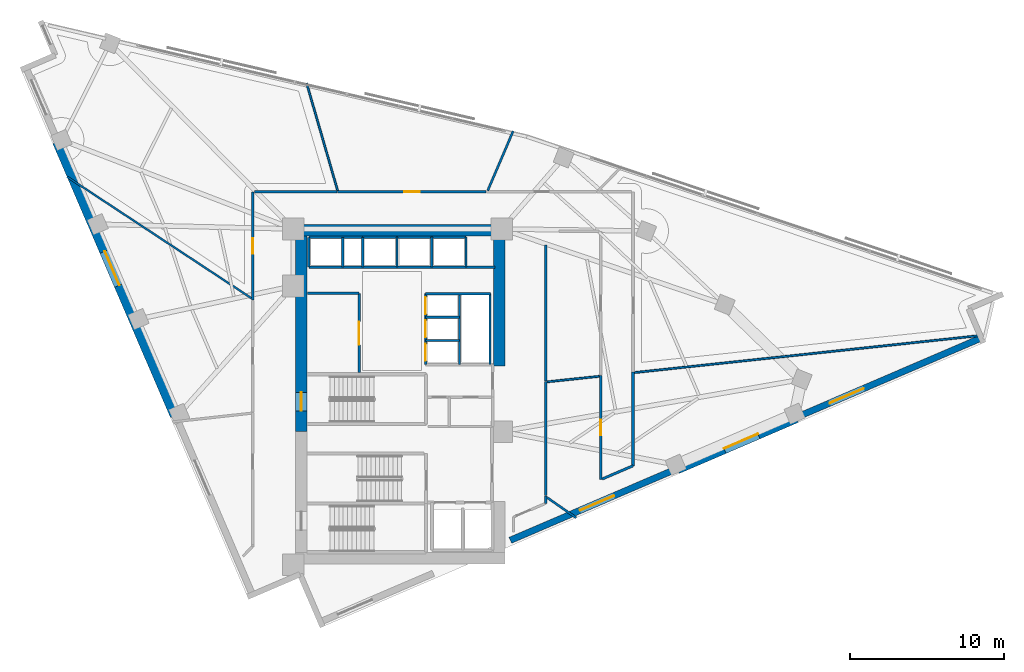
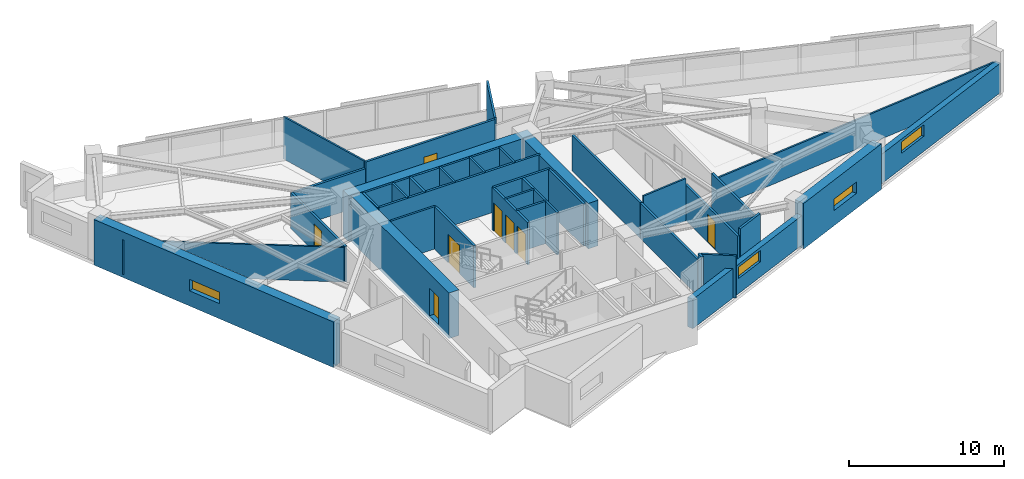
# One storey, part 10 of 13: 39 walls, 8 doors, 4 windows, 12 openings.
"""IFC4 building model written with IfcOpenShell, lengths in metres."""

from ifc_helpers import new_model, si_unit, direction, frame, frame_2d, origin, place, context, subcontext, project, spatial, rectangle, extrude, material, layer, layer_set, type_object, element, fill, save


model = new_model("IFC4")

# Units and contexts
model_context = context("Model", 3, precision=1e-05, world=origin(), true_north=direction((0.0, 1.0)))
body_context = subcontext(model_context, "Body", "Model", "MODEL_VIEW")
ifc_project = project(units=[si_unit("LENGTHUNIT", "METRE"), si_unit("AREAUNIT", "SQUARE_METRE"), si_unit("VOLUMEUNIT", "CUBIC_METRE"), si_unit("PLANEANGLEUNIT", "RADIAN"), si_unit("MASSUNIT", "GRAM", prefix="KILO")], contexts=[model_context])

# Site, building, storey
site_placement = place(None, origin())
site = spatial("IfcSite", under=ifc_project, at=site_placement, CompositionType="ELEMENT")
building_placement = place(site_placement, origin())
building = spatial("IfcBuilding", under=site, at=building_placement, Name="Narakoshi Arena Tower", CompositionType="ELEMENT")
storey_placement = place(building_placement, frame((0.0, 0.0, 171.89990234375)))
storey = spatial("IfcBuildingStorey", under=building, at=storey_placement, Name="L46", CompositionType="ELEMENT", Elevation=171.89990234375)

# Wall, opening, door
ifc_material_1 = material(Name="Concrete C50/60", Category="concrete")
ifc_layer_1 = layer(ifc_material_1, 0.75)
ifc_layer_set_1 = layer_set([ifc_layer_1], Name="Concrete C50/60")
wall_type_1 = type_object("IfcWallType", Name="WL-CORE-750", PredefinedType="SHEAR", material=ifc_layer_set_1)
wall_1_placement = place(storey_placement, frame((72.52490234375, 43.35009765625, -0.260009765625), z_axis=(0.0, 0.0, 1.0), x_axis=(0.0, 1.0, 0.0)))
wall_1 = element("IfcWall", 1, at=wall_1_placement, inside=storey, type_object=wall_type_1, Name="L46 Main Core Shear Wall CW-MN-W", PredefinedType="SHEAR", context=body_context, shape_type="SweptSolid", body=[
    extrude(rectangle(XDim=12.699951171875, YDim=0.75, at=frame_2d((6.35009765625, 0.0))), origin(), (0.0, 0.0, 1.0), 3.60009765625),
])
opening_1_placement = place(wall_1_placement, frame((1.35009765625, 0.0, 0.260009765625)))
opening_1 = element("IfcOpeningElement", 2, at=opening_1_placement, cuts=wall_1, Name="Opening D-03", PredefinedType="OPENING", context=body_context, shape_type="SweptSolid", body=[
    extrude(rectangle(XDim=1.199951171875, YDim=2.199951171875, at=frame_2d((0.60009765625, 1.10009765625))), frame((0.0, 0.385009765625, 0.0), z_axis=(0.0, -1.0, 0.0), x_axis=(1.0, 0.0, 0.0)), (0.0, 0.0, 1.0), 0.77001953125),
])
ifc_material_2 = material(Name="Painted galvanized steel", Category="steel")
door_type_1 = type_object("IfcDoorType", Name="DR-STR-1200", OperationType="NOTDEFINED", PredefinedType="USERDEFINED", material=ifc_material_2)
door_1_placement = place(opening_1_placement, frame((1.199951171875, 0.0, 0.0), z_axis=(0.0, 0.0, 1.0), x_axis=(-1.0, 0.0, 0.0)))
door_1 = element("IfcDoor", 3, at=door_1_placement, inside=storey, type_object=door_type_1, Name="DR-L46-006", ObjectType="EXITDOOR", OperationType="SINGLE_SWING_LEFT", OverallHeight=2.199951171875, OverallWidth=1.199951171875, PredefinedType="USERDEFINED", context=body_context, shape_type="SweptSolid", body=[
    extrude(rectangle(XDim=1.199951171875, YDim=2.199951171875, at=frame_2d((0.60009765625, 1.10009765625))), frame((0.0, 0.02490234375, 0.0), z_axis=(0.0, -1.0, 0.0), x_axis=(1.0, 0.0, 0.0)), (0.0, 0.0, 1.0), 0.050048828125),
])
fill(opening_1, door_1)

# Walls
wall_2_placement = place(storey_placement, frame((72.0, 56.425048828125, -0.260009765625), z_axis=(0.0, 0.0, 1.0), x_axis=(1.0, 0.0, 0.0)))
element("IfcWall", 4, at=wall_2_placement, inside=storey, type_object=wall_type_1, Name="L46 Main Core Shear Wall CW-MN-N", PredefinedType="SHEAR", context=body_context, shape_type="SweptSolid", body=[
    extrude(rectangle(XDim=13.75, YDim=0.75, at=frame_2d((6.875, 0.0))), origin(), (0.0, 0.0, 1.0), 3.60009765625),
])
wall_3_placement = place(storey_placement, frame((85.375, 47.60009765625, -0.260009765625), z_axis=(0.0, 0.0, 1.0), x_axis=(0.0, 1.0, 0.0)))
element("IfcWall", 5, at=wall_3_placement, inside=storey, type_object=wall_type_1, Name="L46 Main Core Shear Wall CW-MN-E", PredefinedType="SHEAR", context=body_context, shape_type="SweptSolid", body=[
    extrude(rectangle(XDim=8.449951171875, YDim=0.75, at=frame_2d((4.22509765625, 0.0))), origin(), (0.0, 0.0, 1.0), 3.60009765625),
])
ifc_material_3 = material(Name="Gypsum plasterboard fire-rated partition")
ifc_layer_2 = layer(ifc_material_3, 0.1650390625)
ifc_layer_set_2 = layer_set([ifc_layer_2], Name="Gypsum plasterboard fire-rated partition")
wall_type_2 = type_object("IfcWallType", Name="WL-CORR-165", PredefinedType="PARTITIONING", material=ifc_layer_set_2)
wall_4_placement = place(storey_placement, frame((88.39990234375, 39.199951171875, 0.0), z_axis=(0.0, 0.0, 1.0), x_axis=(0.0, 1.0, 0.0)))
element("IfcWall", 6, at=wall_4_placement, inside=storey, type_object=wall_type_2, Name="L46 Corridor Partition 03-1", PredefinedType="PARTITIONING", context=body_context, shape_type="SweptSolid", body=[
    extrude(rectangle(XDim=7.405517578125, YDim=0.1650390625, at=frame_2d((3.70263671875, 0.0))), origin(), (0.0, 0.0, 1.0), 2.8251953125),
])

# Wall, opening, door
wall_5_placement = place(storey_placement, frame((91.961181640625, 46.98291015625, 0.0), z_axis=(0.0, 0.0, 1.0), x_axis=(0.0, -1.0, 0.0)))
wall_5 = element("IfcWall", 7, at=wall_5_placement, inside=storey, type_object=wall_type_2, Name="L46 Corridor Partition 03-2", PredefinedType="PARTITIONING", context=body_context, shape_type="SweptSolid", body=[
    extrude(rectangle(XDim=6.753662109375, YDim=0.1650390625, at=frame_2d((3.376953125, 0.0))), origin(), (0.0, 0.0, 1.0), 2.8251953125),
])
opening_2_placement = place(wall_5_placement, frame((2.876708984375, 0.0, 0.0)))
opening_2 = element("IfcOpeningElement", 8, at=opening_2_placement, cuts=wall_5, Name="Opening D-06", PredefinedType="OPENING", context=body_context, shape_type="SweptSolid", body=[
    extrude(rectangle(XDim=1.0, YDim=2.199951171875, at=frame_2d((0.5, 1.10009765625))), frame((0.0, 0.092529296875, 0.0), z_axis=(0.0, -1.0, 0.0), x_axis=(1.0, 0.0, 0.0)), (0.0, 0.0, 1.0), 0.18505859375),
])
ifc_material_4 = material(Name="Stained oak solid-core timber", Category="wood")
door_type_2 = type_object("IfcDoorType", Name="DR-OFF-1000", OperationType="NOTDEFINED", PredefinedType="DOOR", material=ifc_material_4)
door_2_placement = place(opening_2_placement, frame((1.0, 0.0, 0.0), z_axis=(0.0, 0.0, 1.0), x_axis=(-1.0, 0.0, 0.0)))
door_2 = element("IfcDoor", 9, at=door_2_placement, inside=storey, type_object=door_type_2, Name="DR-L46-016", OperationType="SINGLE_SWING_RIGHT", OverallHeight=2.199951171875, OverallWidth=1.0, PredefinedType="DOOR", context=body_context, shape_type="SweptSolid", body=[
    extrude(rectangle(XDim=1.0, YDim=2.199951171875, at=frame_2d((0.5, 1.10009765625))), frame((0.0, 0.02490234375, 0.0), z_axis=(0.0, -1.0, 0.0), x_axis=(1.0, 0.0, 0.0)), (0.0, 0.0, 1.0), 0.050048828125),
])
fill(opening_2, door_2)

# Walls
wall_6_placement = place(storey_placement, frame((94.061279296875, 41.131591796875, 0.0), z_axis=(0.0, 0.0, 1.0), x_axis=(0.0, 1.0, 0.0)))
element("IfcWall", 10, at=wall_6_placement, inside=storey, type_object=wall_type_2, Name="L46 Corridor Partition 03-3", PredefinedType="PARTITIONING", context=body_context, shape_type="SweptSolid", body=[
    extrude(rectangle(XDim=6.07373046875, YDim=0.1650390625, at=frame_2d((3.036865234375, 0.0))), origin(), (0.0, 0.0, 1.0), 2.8251953125),
])
wall_7_placement = place(storey_placement, frame((92.055908203125, 40.27001953125, 0.0), z_axis=(0.0, 0.0, 1.0), x_axis=(0.918791733635, 0.394742637935, 0.0)))
element("IfcWall", 11, at=wall_7_placement, inside=storey, type_object=wall_type_2, Name="L46 Corridor Partition 03-4", PredefinedType="PARTITIONING", context=body_context, shape_type="SweptSolid", body=[
    extrude(rectangle(XDim=2.1826171875, YDim=0.1650390625, at=frame_2d((1.09130859375, 0.0))), origin(), (0.0, 0.0, 1.0), 3.340087890625),
])
wall_8_placement = place(storey_placement, frame((88.39990234375, 46.62939453125, 0.0), z_axis=(0.0, 0.0, 1.0), x_axis=(0.0, 1.0, 0.0)))
element("IfcWall", 12, at=wall_8_placement, inside=storey, type_object=wall_type_2, Name="L46 Corridor Partition 05-2", PredefinedType="PARTITIONING", context=body_context, shape_type="SweptSolid", body=[
    extrude(rectangle(XDim=8.842529296875, YDim=0.1650390625, at=frame_2d((4.42138671875, 0.0))), origin(), (0.0, 0.0, 1.0), 2.8251953125),
])

# Wall, opening, door
wall_9_placement = place(storey_placement, frame((84.532470703125, 58.908935546875, 0.0), z_axis=(0.0, 0.0, 1.0), x_axis=(-1.0, 0.0, 0.0)))
wall_9 = element("IfcWall", 13, at=wall_9_placement, inside=storey, type_object=wall_type_2, Name="L46 Corridor Partition 07-1", PredefinedType="PARTITIONING", context=body_context, shape_type="SweptSolid", body=[
    extrude(rectangle(XDim=9.649658203125, YDim=0.1650390625, at=frame_2d((4.82470703125, 0.0))), origin(), (0.0, 0.0, 1.0), 3.340087890625),
])
opening_3_placement = place(wall_9_placement, frame((4.32470703125, 0.0, 0.0)))
opening_3 = element("IfcOpeningElement", 14, at=opening_3_placement, cuts=wall_9, Name="Opening D-06", PredefinedType="OPENING", context=body_context, shape_type="SweptSolid", body=[
    extrude(rectangle(XDim=1.0, YDim=2.199951171875, at=frame_2d((0.5, 1.10009765625))), frame((0.0, 0.092529296875, 0.0), z_axis=(0.0, -1.0, 0.0), x_axis=(1.0, 0.0, 0.0)), (0.0, 0.0, 1.0), 0.18505859375),
])
door_3_placement = place(opening_3_placement, frame((1.0, 0.0, 0.0), z_axis=(0.0, 0.0, 1.0), x_axis=(-1.0, 0.0, 0.0)))
door_3 = element("IfcDoor", 15, at=door_3_placement, inside=storey, type_object=door_type_2, Name="DR-L46-020", OperationType="SINGLE_SWING_RIGHT", OverallHeight=2.199951171875, OverallWidth=1.0, PredefinedType="DOOR", context=body_context, shape_type="SweptSolid", body=[
    extrude(rectangle(XDim=1.0, YDim=2.199951171875, at=frame_2d((0.5, 1.10009765625))), frame((0.0, 0.02490234375, 0.0), z_axis=(0.0, -1.0, 0.0), x_axis=(1.0, 0.0, 0.0)), (0.0, 0.0, 1.0), 0.050048828125),
])
fill(opening_3, door_3)

wall_10_placement = place(storey_placement, frame((69.388916015625, 58.908935546875, 0.0), z_axis=(0.0, 0.0, 1.0), x_axis=(0.0, -1.0, 0.0)))
wall_10 = element("IfcWall", 16, at=wall_10_placement, inside=storey, type_object=wall_type_2, Name="L46 Corridor Partition 08-1", PredefinedType="PARTITIONING", context=body_context, shape_type="SweptSolid", body=[
    extrude(rectangle(XDim=7.006103515625, YDim=0.1650390625, at=frame_2d((3.5029296875, 0.0))), origin(), (0.0, 0.0, 1.0), 2.8251953125),
])
opening_4_placement = place(wall_10_placement, frame((3.003173828125, 0.0, 0.0)))
opening_4 = element("IfcOpeningElement", 17, at=opening_4_placement, cuts=wall_10, Name="Opening D-06", PredefinedType="OPENING", context=body_context, shape_type="SweptSolid", body=[
    extrude(rectangle(XDim=1.0, YDim=2.199951171875, at=frame_2d((0.5, 1.10009765625))), frame((0.0, 0.092529296875, 0.0), z_axis=(0.0, -1.0, 0.0), x_axis=(1.0, 0.0, 0.0)), (0.0, 0.0, 1.0), 0.18505859375),
])
door_4_placement = place(opening_4_placement, frame((1.0, 0.0, 0.0), z_axis=(0.0, 0.0, 1.0), x_axis=(-1.0, 0.0, 0.0)))
door_4 = element("IfcDoor", 18, at=door_4_placement, inside=storey, type_object=door_type_2, Name="DR-L46-021", OperationType="SINGLE_SWING_LEFT", OverallHeight=2.199951171875, OverallWidth=1.0, PredefinedType="DOOR", context=body_context, shape_type="SweptSolid", body=[
    extrude(rectangle(XDim=1.0, YDim=2.199951171875, at=frame_2d((0.5, 1.10009765625))), frame((0.0, 0.02490234375, 0.0), z_axis=(0.0, -1.0, 0.0), x_axis=(1.0, 0.0, 0.0)), (0.0, 0.0, 1.0), 0.050048828125),
])
fill(opening_4, door_4)

# Wall
wall_11_placement = place(storey_placement, frame((74.85791015625, 58.908935546875, 0.0), z_axis=(0.0, 0.0, 1.0), x_axis=(-1.0, 0.0, 0.0)))
element("IfcWall", 19, at=wall_11_placement, inside=storey, type_object=wall_type_2, Name="L46 Corridor Partition 08-2", PredefinedType="PARTITIONING", context=body_context, shape_type="SweptSolid", body=[
    extrude(rectangle(XDim=5.37451171875, YDim=0.1650390625, at=frame_2d((2.687255859375, 0.0))), origin(), (0.0, 0.0, 1.0), 2.8251953125),
])

# Wall, opening, window
ifc_material_5 = material(Name="Concrete C60/75", Category="concrete")
ifc_layer_3 = layer(ifc_material_5, 0.699951171875)
ifc_layer_set_3 = layer_set([ifc_layer_3], Name="Concrete C60/75")
wall_type_3 = type_object("IfcWallType", Name="WL-LEG-700", PredefinedType="SHEAR", material=ifc_layer_set_3)
wall_12_placement = place(storey_placement, frame((96.936767578125, 40.951904296875, -0.260009765625), z_axis=(0.0, 0.0, 1.0), x_axis=(0.918782407933, 0.394764343468, 0.0)))
wall_12 = element("IfcWall", 20, at=wall_12_placement, inside=storey, type_object=wall_type_3, Name="L46 Architectural Concrete Structural Wall LEGA-3", PredefinedType="SHEAR", context=body_context, shape_type="SweptSolid", body=[
    extrude(rectangle(XDim=8.401611328125, YDim=0.699951171875, at=frame_2d((4.20068359375, 0.0))), origin(), (0.0, 0.0, 1.0), 3.60009765625),
])
opening_5_placement = place(wall_12_placement, frame((3.2939453125, 0.0, 1.199951171875)))
opening_5 = element("IfcOpeningElement", 21, at=opening_5_placement, cuts=wall_12, Name="Opening WN-01", PredefinedType="OPENING", context=body_context, shape_type="SweptSolid", body=[
    extrude(rectangle(XDim=2.39990234375, YDim=0.89990234375, at=frame_2d((1.199951171875, 0.449951171875))), frame((0.0, 0.35986328125, 0.0), z_axis=(0.0, -1.0, 0.0), x_axis=(1.0, 0.0, 0.0)), (0.0, 0.0, 1.0), 0.719970703125),
])
ifc_material_6 = material(Name="Bronze-tinted low-E laminated glass", Category="glass")
window_type = type_object("IfcWindowType", Name="WIN-SLT-24x09", PartitioningType="SINGLE_PANEL", PredefinedType="WINDOW", material=ifc_material_6)
window_1_placement = place(opening_5_placement, origin())
window_1 = element("IfcWindow", 22, at=window_1_placement, inside=storey, type_object=window_type, Name="L46 LEGA3 Horizontal Slot Window 1", OverallHeight=0.89990234375, OverallWidth=2.39990234375, PartitioningType="SINGLE_PANEL", PredefinedType="WINDOW", context=body_context, shape_type="SweptSolid", body=[
    extrude(rectangle(XDim=2.39990234375, YDim=0.89990234375, at=frame_2d((1.199951171875, 0.449951171875))), frame((0.0, 0.030029296875, 0.0), z_axis=(0.0, -1.0, 0.0), x_axis=(1.0, 0.0, 0.0)), (0.0, 0.0, 1.0), 0.06005859375),
])
fill(opening_5, window_1)

wall_13_placement = place(storey_placement, frame((56.7275390625, 62.171875, -0.260009765625), z_axis=(0.0, 0.0, 1.0), x_axis=(0.394736752992, -0.918794261974, 0.0)))
wall_13 = element("IfcWall", 23, at=wall_13_placement, inside=storey, type_object=wall_type_3, Name="L46 Architectural Concrete Structural Wall LEGB-2", PredefinedType="SHEAR", context=body_context, shape_type="SweptSolid", body=[
    extrude(rectangle(XDim=19.3525390625, YDim=0.699951171875, at=frame_2d((9.67626953125, 0.0))), origin(), (0.0, 0.0, 1.0), 3.60009765625),
])
opening_6_placement = place(wall_13_placement, frame((7.747314453125, 0.0, 1.199951171875)))
opening_6 = element("IfcOpeningElement", 24, at=opening_6_placement, cuts=wall_13, Name="Opening WN-01", PredefinedType="OPENING", context=body_context, shape_type="SweptSolid", body=[
    extrude(rectangle(XDim=2.39990234375, YDim=0.89990234375, at=frame_2d((1.199951171875, 0.449951171875))), frame((0.0, 0.35986328125, 0.0), z_axis=(0.0, -1.0, 0.0), x_axis=(1.0, 0.0, 0.0)), (0.0, 0.0, 1.0), 0.719970703125),
])
window_2_placement = place(opening_6_placement, origin())
window_2 = element("IfcWindow", 25, at=window_2_placement, inside=storey, type_object=window_type, Name="L46 LEGB2 Horizontal Slot Window 1", OverallHeight=0.89990234375, OverallWidth=2.39990234375, PartitioningType="SINGLE_PANEL", PredefinedType="WINDOW", context=body_context, shape_type="SweptSolid", body=[
    extrude(rectangle(XDim=2.39990234375, YDim=0.89990234375, at=frame_2d((1.199951171875, 0.449951171875))), frame((0.0, 0.030029296875, 0.0), z_axis=(0.0, -1.0, 0.0), x_axis=(1.0, 0.0, 0.0)), (0.0, 0.0, 1.0), 0.06005859375),
])
fill(opening_6, window_2)

# Walls
ifc_layer_4 = layer(ifc_material_3, 0.125)
ifc_layer_set_4 = layer_set([ifc_layer_4], Name="Gypsum plasterboard fire-rated partition")
wall_type_4 = type_object("IfcWallType", Name="WL-PART-125", PredefinedType="PARTITIONING", material=ifc_layer_set_4)
wall_14_placement = place(storey_placement, frame((94.15576171875, 47.1796875, 0.0), z_axis=(0.0, 0.0, 1.0), x_axis=(0.994308171702, 0.106542290603, 0.0)))
element("IfcWall", 26, at=wall_14_placement, inside=storey, type_object=wall_type_4, Name="L46 Inter-Room Partition 03-04", PredefinedType="PARTITIONING", context=body_context, shape_type="SweptSolid", body=[
    extrude(rectangle(XDim=22.56884765625, YDim=0.125, at=frame_2d((11.284423828125, 0.0))), origin(), (0.0, 0.0, 1.0), 2.3251953125),
])
wall_15_placement = place(storey_placement, frame((88.494384765625, 46.57958984375, 0.0), z_axis=(0.0, 0.0, 1.0), x_axis=(0.994445328127, 0.105254403078, 0.0)))
element("IfcWall", 27, at=wall_15_placement, inside=storey, type_object=wall_type_4, Name="L46 Inter-Room Partition 03-05", PredefinedType="PARTITIONING", context=body_context, shape_type="SweptSolid", body=[
    extrude(rectangle(XDim=3.39111328125, YDim=0.125, at=frame_2d((1.695556640625, 0.0))), origin(), (0.0, 0.0, 1.0), 3.340087890625),
])
wall_16_placement = place(storey_placement, frame((74.890380859375, 59.00341796875, 0.0), z_axis=(0.0, 0.0, 1.0), x_axis=(-0.277684607066, 0.960672295322, 0.0)))
element("IfcWall", 28, at=wall_16_placement, inside=storey, type_object=wall_type_4, Name="L46 Inter-Room Partition 07-08", PredefinedType="PARTITIONING", context=body_context, shape_type="SweptSolid", body=[
    extrude(rectangle(XDim=7.25439453125, YDim=0.125, at=frame_2d((3.627197265625, 0.0))), origin(), (0.0, 0.0, 1.0), 3.340087890625),
])
wall_17_placement = place(storey_placement, frame((69.294189453125, 52.00830078125, 0.0), z_axis=(0.0, 0.0, 1.0), x_axis=(-0.835080394173, 0.550127926276, 0.0)))
element("IfcWall", 29, at=wall_17_placement, inside=storey, type_object=wall_type_4, Name="L46 Inter-Room Partition 08-09", PredefinedType="PARTITIONING", context=body_context, shape_type="SweptSolid", body=[
    extrude(rectangle(XDim=14.332275390625, YDim=0.125, at=frame_2d((7.166015625, 0.0))), origin(), (0.0, 0.0, 1.0), 2.72509765625),
])

# Wall, opening, window
ifc_material_7 = material(Name="Precast concrete C45/55", Category="concrete")
ifc_layer_5 = layer(ifc_material_7, 0.419921875)
ifc_layer_set_5 = layer_set([ifc_layer_5], Name="Precast concrete C45/55")
wall_type_5 = type_object("IfcWallType", Name="WL-POD-420", PredefinedType="SOLIDWALL", material=ifc_layer_set_5)
wall_18_placement = place(storey_placement, frame((86.10009765625, 36.296142578125, 0.0), z_axis=(0.0, 0.0, 1.0), x_axis=(0.918792412723, 0.394741057306, 0.0)))
wall_18 = element("IfcWall", 30, at=wall_18_placement, inside=storey, type_object=wall_type_5, Name="L46 Architectural Concrete Facade Wall LEGA-2", PredefinedType="SOLIDWALL", context=body_context, shape_type="SweptSolid", body=[
    extrude(rectangle(XDim=11.79443359375, YDim=0.419921875, at=frame_2d((5.897216796875, 0.0))), origin(), (0.0, 0.0, 1.0), 2.3251953125),
])
opening_7_placement = place(wall_18_placement, frame((4.910888671875, 0.0, 1.199951171875)))
opening_7 = element("IfcOpeningElement", 31, at=opening_7_placement, cuts=wall_18, Name="Opening WN-01", PredefinedType="OPENING", context=body_context, shape_type="SweptSolid", body=[
    extrude(rectangle(XDim=2.39990234375, YDim=0.89990234375, at=frame_2d((1.199951171875, 0.449951171875))), frame((0.0, 0.219970703125, 0.0), z_axis=(0.0, -1.0, 0.0), x_axis=(1.0, 0.0, 0.0)), (0.0, 0.0, 1.0), 0.43994140625),
])
window_3_placement = place(opening_7_placement, origin())
window_3 = element("IfcWindow", 32, at=window_3_placement, inside=storey, type_object=window_type, Name="L46 LEGA2 Horizontal Slot Window 1", OverallHeight=0.89990234375, OverallWidth=2.39990234375, PartitioningType="SINGLE_PANEL", PredefinedType="WINDOW", context=body_context, shape_type="SweptSolid", body=[
    extrude(rectangle(XDim=2.39990234375, YDim=0.89990234375, at=frame_2d((1.199951171875, 0.449951171875))), frame((0.0, 0.030029296875, 0.0), z_axis=(0.0, -1.0, 0.0), x_axis=(1.0, 0.0, 0.0)), (0.0, 0.0, 1.0), 0.06005859375),
])
fill(opening_7, window_3)

wall_19_placement = place(storey_placement, frame((104.656005859375, 44.2685546875, 0.0), z_axis=(0.0, 0.0, 1.0), x_axis=(0.918789071809, 0.394748833467, 0.0)))
wall_19 = element("IfcWall", 33, at=wall_19_placement, inside=storey, type_object=wall_type_5, Name="L46 Architectural Concrete Facade Wall LEGA-4", PredefinedType="SOLIDWALL", context=body_context, shape_type="SweptSolid", body=[
    extrude(rectangle(XDim=13.06884765625, YDim=0.419921875, at=frame_2d((6.534423828125, 0.0))), origin(), (0.0, 0.0, 1.0), 2.3251953125),
])
opening_8_placement = place(wall_19_placement, frame((2.362060546875, 0.0, 1.199951171875)))
opening_8 = element("IfcOpeningElement", 34, at=opening_8_placement, cuts=wall_19, Name="Opening WN-01", PredefinedType="OPENING", context=body_context, shape_type="SweptSolid", body=[
    extrude(rectangle(XDim=2.39990234375, YDim=0.89990234375, at=frame_2d((1.199951171875, 0.449951171875))), frame((0.0, 0.219970703125, 0.0), z_axis=(0.0, -1.0, 0.0), x_axis=(1.0, 0.0, 0.0)), (0.0, 0.0, 1.0), 0.43994140625),
])
window_4_placement = place(opening_8_placement, origin())
window_4 = element("IfcWindow", 35, at=window_4_placement, inside=storey, type_object=window_type, Name="L46 LEGA4 Horizontal Slot Window 1", OverallHeight=0.89990234375, OverallWidth=2.39990234375, PartitioningType="SINGLE_PANEL", PredefinedType="WINDOW", context=body_context, shape_type="SweptSolid", body=[
    extrude(rectangle(XDim=2.39990234375, YDim=0.89990234375, at=frame_2d((1.199951171875, 0.449951171875))), frame((0.0, 0.030029296875, 0.0), z_axis=(0.0, -1.0, 0.0), x_axis=(1.0, 0.0, 0.0)), (0.0, 0.0, 1.0), 0.06005859375),
])
fill(opening_8, window_4)

# Walls
ifc_material_8 = material(Name="Concrete C40/50", Category="concrete")
ifc_layer_6 = layer(ifc_material_8, 0.280029296875)
ifc_layer_set_6 = layer_set([ifc_layer_6], Name="Concrete C40/50")
wall_type_6 = type_object("IfcWallType", Name="WL-RISER-280", PredefinedType="PLUMBINGWALL", material=ifc_layer_set_6)
for number, where, z_axis, x_axis, name in (
    (36, (80.60009765625, 49.260009765625, 0.0), (0.0, 0.0, 1.0), (1.0, 0.0, 0.0), "L46 Core Wall MR-D1"),
    (37, (80.60009765625, 50.780029296875, 0.0), (0.0, 0.0, 1.0), (1.0, 0.0, 0.0), "L46 Core Wall MR-D2"),
):
    element("IfcWall", number, at=place(storey_placement, frame(where, z_axis=z_axis, x_axis=x_axis)), inside=storey, type_object=wall_type_6, Name=name, PredefinedType="PLUMBINGWALL", context=body_context, shape_type="SweptSolid", body=[
        extrude(rectangle(XDim=2.199951171875, YDim=0.14990234375, at=frame_2d((1.10009765625, 0.0))), origin(), (0.0, 0.0, 1.0), 3.340087890625),
    ])
wall_20_placement = place(storey_placement, frame((82.800048828125, 47.699951171875, 0.0), z_axis=(0.0, 0.0, 1.0), x_axis=(0.0, 1.0, 0.0)))
element("IfcWall", 38, at=wall_20_placement, inside=storey, type_object=wall_type_6, Name="L46 Core Wall MR-E", PredefinedType="PLUMBINGWALL", context=body_context, shape_type="SweptSolid", body=[
    extrude(rectangle(XDim=4.60009765625, YDim=0.14990234375, at=frame_2d((2.300048828125, 0.0))), origin(), (0.0, 0.0, 1.0), 3.340087890625),
])
for number, where, z_axis, x_axis, name in (
    (39, (73.02001953125, 54.02001953125, 0.0), (0.0, 0.0, 1.0), (0.0, 1.0, 0.0), "L46 Core Wall OBS-W"),
    (40, (75.219970703125, 54.02001953125, 0.0), (0.0, 0.0, 1.0), (0.0, 1.0, 0.0), "L46 Core Wall OBS-M"),
):
    element("IfcWall", number, at=place(storey_placement, frame(where, z_axis=z_axis, x_axis=x_axis)), inside=storey, type_object=wall_type_6, Name=name, PredefinedType="PLUMBINGWALL", context=body_context, shape_type="SweptSolid", body=[
        extrude(rectangle(XDim=1.93994140625, YDim=0.14990234375, at=frame_2d((0.969970703125, 0.0))), origin(), (0.0, 0.0, 1.0), 3.340087890625),
    ])
for number, where, z_axis, x_axis, name in (
    (41, (78.75, 54.02001953125, 0.0), (0.0, 0.0, 1.0), (0.0, 1.0, 0.0), "L46 Core Wall HR-D1"),
    (42, (81.0, 54.02001953125, 0.0), (0.0, 0.0, 1.0), (0.0, 1.0, 0.0), "L46 Core Wall HR-D2"),
):
    element("IfcWall", number, at=place(storey_placement, frame(where, z_axis=z_axis, x_axis=x_axis)), inside=storey, type_object=wall_type_6, Name=name, PredefinedType="PLUMBINGWALL", context=body_context, shape_type="SweptSolid", body=[
        extrude(rectangle(XDim=1.9599609375, YDim=0.14990234375, at=frame_2d((0.97998046875, 0.0))), origin(), (0.0, 0.0, 1.0), 3.340087890625),
    ])

# Wall, opening, door
ifc_layer_7 = layer(ifc_material_1, 0.35009765625)
ifc_layer_set_7 = layer_set([ifc_layer_7], Name="Concrete C50/60")
wall_type_7 = type_object("IfcWallType", Name="WL-SHAFT-350", PredefinedType="SOLIDWALL", material=ifc_layer_set_7)
wall_21_placement = place(storey_placement, frame((76.280029296875, 47.179931640625, 0.0), z_axis=(0.0, 0.0, 1.0), x_axis=(0.0, 1.0, 0.0)))
wall_21 = element("IfcWall", 43, at=wall_21_placement, inside=storey, type_object=wall_type_7, Name="L46 Core Wall LR-E", PredefinedType="SOLIDWALL", context=body_context, shape_type="SweptSolid", body=[
    extrude(rectangle(XDim=5.14013671875, YDim=0.159912109375, at=frame_2d((2.570068359375, 0.0))), origin(), (0.0, 0.0, 1.0), 3.340087890625),
])
opening_9_placement = place(wall_21_placement, frame((1.800048828125, 0.0, 0.0)))
opening_9 = element("IfcOpeningElement", 44, at=opening_9_placement, cuts=wall_21, Name="Opening D-09", PredefinedType="OPENING", context=body_context, shape_type="SweptSolid", body=[
    extrude(rectangle(XDim=1.5, YDim=2.25, at=frame_2d((0.75, 1.125))), frame((0.0, 0.08984375, 0.0), z_axis=(0.0, -1.0, 0.0), x_axis=(1.0, 0.0, 0.0)), (0.0, 0.0, 1.0), 0.179931640625),
])
door_type_3 = type_object("IfcDoorType", Name="DR-PLT-1500", OperationType="DOUBLE_DOOR_SINGLE_SWING", PredefinedType="DOOR", material=ifc_material_2)
door_5_placement = place(opening_9_placement, frame((1.5, 0.0, 0.0), z_axis=(0.0, 0.0, 1.0), x_axis=(-1.0, 0.0, 0.0)))
door_5 = element("IfcDoor", 45, at=door_5_placement, inside=storey, type_object=door_type_3, Name="DR-L46-010", OperationType="DOUBLE_DOOR_SINGLE_SWING", OverallHeight=2.25, OverallWidth=1.5, PredefinedType="DOOR", context=body_context, shape_type="SweptSolid", body=[
    extrude(rectangle(XDim=1.5, YDim=2.25, at=frame_2d((0.75, 1.125))), frame((0.0, 0.02490234375, 0.0), z_axis=(0.0, -1.0, 0.0), x_axis=(1.0, 0.0, 0.0)), (0.0, 0.0, 1.0), 0.050048828125),
])
fill(opening_9, door_5)

# Wall
wall_22_placement = place(storey_placement, frame((72.949951171875, 52.320068359375, 0.0), z_axis=(0.0, 0.0, 1.0), x_axis=(1.0, 0.0, 0.0)))
element("IfcWall", 46, at=wall_22_placement, inside=storey, type_object=wall_type_7, Name="L46 Core Wall LR-N", PredefinedType="SOLIDWALL", context=body_context, shape_type="SweptSolid", body=[
    extrude(rectangle(XDim=3.330078125, YDim=0.14990234375, at=frame_2d((1.6650390625, 0.0))), origin(), (0.0, 0.0, 1.0), 3.340087890625),
])

# Wall, openings, doors
wall_23_placement = place(storey_placement, frame((80.60009765625, 47.699951171875, 0.0), z_axis=(0.0, 0.0, 1.0), x_axis=(0.0, 1.0, 0.0)))
wall_23 = element("IfcWall", 47, at=wall_23_placement, inside=storey, type_object=wall_type_7, Name="L46 Core Wall MR-W", PredefinedType="SOLIDWALL", context=body_context, shape_type="SweptSolid", body=[
    extrude(rectangle(XDim=4.60009765625, YDim=0.159912109375, at=frame_2d((2.300048828125, 0.0))), origin(), (0.0, 0.0, 1.0), 3.340087890625),
])
opening_10_placement = place(wall_23_placement, frame((0.239990234375, 0.0, 0.0)))
opening_10 = element("IfcOpeningElement", 48, at=opening_10_placement, cuts=wall_23, Name="Opening LD-01", PredefinedType="OPENING", context=body_context, shape_type="SweptSolid", body=[
    extrude(rectangle(XDim=1.10009765625, YDim=2.25, at=frame_2d((0.550048828125, 1.125))), frame((0.0, 0.08984375, 0.0), z_axis=(0.0, -1.0, 0.0), x_axis=(1.0, 0.0, 0.0)), (0.0, 0.0, 1.0), 0.179931640625),
])
opening_11_placement = place(wall_23_placement, frame((1.760009765625, 0.0, 0.0)))
opening_11 = element("IfcOpeningElement", 49, at=opening_11_placement, cuts=wall_23, Name="Opening LD-01", PredefinedType="OPENING", context=body_context, shape_type="SweptSolid", body=[
    extrude(rectangle(XDim=1.10009765625, YDim=2.25, at=frame_2d((0.550048828125, 1.125))), frame((0.0, 0.08984375, 0.0), z_axis=(0.0, -1.0, 0.0), x_axis=(1.0, 0.0, 0.0)), (0.0, 0.0, 1.0), 0.179931640625),
])
opening_12_placement = place(wall_23_placement, frame((3.280029296875, 0.0, 0.0)))
opening_12 = element("IfcOpeningElement", 50, at=opening_12_placement, cuts=wall_23, Name="Opening LD-01", PredefinedType="OPENING", context=body_context, shape_type="SweptSolid", body=[
    extrude(rectangle(XDim=1.10009765625, YDim=2.25, at=frame_2d((0.550048828125, 1.125))), frame((0.0, 0.08984375, 0.0), z_axis=(0.0, -1.0, 0.0), x_axis=(1.0, 0.0, 0.0)), (0.0, 0.0, 1.0), 0.179931640625),
])
ifc_material_9 = material(Name="Brushed bronze stainless steel", Category="steel")
door_type_4 = type_object("IfcDoorType", Name="DR-LFT-1100", OperationType="DOUBLE_DOOR_SLIDING", PredefinedType="DOOR", material=ifc_material_9)
door_6_placement = place(opening_10_placement, frame((1.10009765625, 0.0, 0.0), z_axis=(0.0, 0.0, 1.0), x_axis=(-1.0, 0.0, 0.0)))
door_6 = element("IfcDoor", 51, at=door_6_placement, inside=storey, type_object=door_type_4, Name="DR-L46-011", OperationType="DOUBLE_DOOR_SLIDING", OverallHeight=2.25, OverallWidth=1.10009765625, PredefinedType="DOOR", context=body_context, shape_type="SweptSolid", body=[
    extrude(rectangle(XDim=1.10009765625, YDim=2.25, at=frame_2d((0.550048828125, 1.125))), frame((0.0, 0.02490234375, 0.0), z_axis=(0.0, -1.0, 0.0), x_axis=(1.0, 0.0, 0.0)), (0.0, 0.0, 1.0), 0.050048828125),
])
fill(opening_10, door_6)
door_7_placement = place(opening_11_placement, frame((1.10009765625, 0.0, 0.0), z_axis=(0.0, 0.0, 1.0), x_axis=(-1.0, 0.0, 0.0)))
door_7 = element("IfcDoor", 52, at=door_7_placement, inside=storey, type_object=door_type_4, Name="DR-L46-012", OperationType="DOUBLE_DOOR_SLIDING", OverallHeight=2.25, OverallWidth=1.10009765625, PredefinedType="DOOR", context=body_context, shape_type="SweptSolid", body=[
    extrude(rectangle(XDim=1.10009765625, YDim=2.25, at=frame_2d((0.550048828125, 1.125))), frame((0.0, 0.02490234375, 0.0), z_axis=(0.0, -1.0, 0.0), x_axis=(1.0, 0.0, 0.0)), (0.0, 0.0, 1.0), 0.050048828125),
])
fill(opening_11, door_7)
door_8_placement = place(opening_12_placement, frame((1.10009765625, 0.0, 0.0), z_axis=(0.0, 0.0, 1.0), x_axis=(-1.0, 0.0, 0.0)))
door_8 = element("IfcDoor", 53, at=door_8_placement, inside=storey, type_object=door_type_4, Name="DR-L46-013", OperationType="DOUBLE_DOOR_SLIDING", OverallHeight=2.25, OverallWidth=1.10009765625, PredefinedType="DOOR", context=body_context, shape_type="SweptSolid", body=[
    extrude(rectangle(XDim=1.10009765625, YDim=2.25, at=frame_2d((0.550048828125, 1.125))), frame((0.0, 0.02490234375, 0.0), z_axis=(0.0, -1.0, 0.0), x_axis=(1.0, 0.0, 0.0)), (0.0, 0.0, 1.0), 0.050048828125),
])
fill(opening_12, door_8)

# Walls
wall_24_placement = place(storey_placement, frame((80.60009765625, 52.300048828125, 0.0), z_axis=(0.0, 0.0, 1.0), x_axis=(1.0, 0.0, 0.0)))
element("IfcWall", 54, at=wall_24_placement, inside=storey, type_object=wall_type_7, Name="L46 Core Wall MR-N", PredefinedType="SOLIDWALL", context=body_context, shape_type="SweptSolid", body=[
    extrude(rectangle(XDim=4.219970703125, YDim=0.159912109375, at=frame_2d((2.10986328125, 0.0))), origin(), (0.0, 0.0, 1.0), 3.340087890625),
])
wall_25_placement = place(storey_placement, frame((84.780029296875, 47.699951171875, 0.0), z_axis=(0.0, 0.0, 1.0), x_axis=(0.0, 1.0, 0.0)))
element("IfcWall", 55, at=wall_25_placement, inside=storey, type_object=wall_type_7, Name="L46 Core Wall MR-E2", PredefinedType="SOLIDWALL", context=body_context, shape_type="SweptSolid", body=[
    extrude(rectangle(XDim=4.60009765625, YDim=0.159912109375, at=frame_2d((2.300048828125, 0.0))), origin(), (0.0, 0.0, 1.0), 3.340087890625),
])
wall_26_placement = place(storey_placement, frame((73.02001953125, 54.02001953125, 0.0), z_axis=(0.0, 0.0, 1.0), x_axis=(1.0, 0.0, 0.0)))
element("IfcWall", 56, at=wall_26_placement, inside=storey, type_object=wall_type_7, Name="L46 Core Wall NSHF-S", PredefinedType="SOLIDWALL", context=body_context, shape_type="SweptSolid", body=[
    extrude(rectangle(XDim=12.080078125, YDim=0.159912109375, at=frame_2d((6.0400390625, 0.0))), origin(), (0.0, 0.0, 1.0), 3.340087890625),
])
wall_27_placement = place(storey_placement, frame((73.02001953125, 55.9599609375, 0.0), z_axis=(0.0, 0.0, 1.0), x_axis=(1.0, 0.0, 0.0)))
element("IfcWall", 57, at=wall_27_placement, inside=storey, type_object=wall_type_7, Name="L46 Core Wall OBS-N", PredefinedType="SOLIDWALL", context=body_context, shape_type="SweptSolid", body=[
    extrude(rectangle(XDim=3.5, YDim=0.14990234375, at=frame_2d((1.75, 0.0))), origin(), (0.0, 0.0, 1.0), 3.340087890625),
])
wall_28_placement = place(storey_placement, frame((76.52001953125, 54.02001953125, 0.0), z_axis=(0.0, 0.0, 1.0), x_axis=(0.0, 1.0, 0.0)))
element("IfcWall", 58, at=wall_28_placement, inside=storey, type_object=wall_type_7, Name="L46 Core Wall OBS-E", PredefinedType="SOLIDWALL", context=body_context, shape_type="SweptSolid", body=[
    extrude(rectangle(XDim=1.93994140625, YDim=0.14990234375, at=frame_2d((0.969970703125, 0.0))), origin(), (0.0, 0.0, 1.0), 3.340087890625),
])
wall_29_placement = place(storey_placement, frame((83.219970703125, 54.02001953125, 0.0), z_axis=(0.0, 0.0, 1.0), x_axis=(0.0, 1.0, 0.0)))
element("IfcWall", 59, at=wall_29_placement, inside=storey, type_object=wall_type_7, Name="L46 Core Wall HR-E", PredefinedType="SOLIDWALL", context=body_context, shape_type="SweptSolid", body=[
    extrude(rectangle(XDim=1.9599609375, YDim=0.14990234375, at=frame_2d((0.97998046875, 0.0))), origin(), (0.0, 0.0, 1.0), 3.340087890625),
])
wall_30_placement = place(storey_placement, frame((76.52001953125, 55.9599609375, 0.0), z_axis=(0.0, 0.0, 1.0), x_axis=(1.0, 0.0, 0.0)))
element("IfcWall", 60, at=wall_30_placement, inside=storey, type_object=wall_type_7, Name="L46 Core Wall HR-N", PredefinedType="SOLIDWALL", context=body_context, shape_type="SweptSolid", body=[
    extrude(rectangle(XDim=6.699951171875, YDim=0.14990234375, at=frame_2d((3.35009765625, 0.0))), origin(), (0.0, 0.0, 1.0), 3.340087890625),
])
ifc_material_10 = material(Name="Moisture-resistant cement-board partition")
ifc_layer_8 = layer(ifc_material_10, 0.14501953125)
ifc_layer_set_8 = layer_set([ifc_layer_8], Name="Moisture-resistant cement-board partition")
wall_type_8 = type_object("IfcWallType", Name="WL-WET-145", PredefinedType="PARTITIONING", material=ifc_layer_set_8)
wall_31_placement = place(storey_placement, frame((88.39990234375, 38.69921875, 0.0), z_axis=(0.0, 0.0, 1.0), x_axis=(0.0, 1.0, 0.0)))
element("IfcWall", 61, at=wall_31_placement, inside=storey, type_object=wall_type_8, Name="L46 Corridor Partition 02-2", PredefinedType="PARTITIONING", context=body_context, shape_type="SweptSolid", body=[
    extrude(rectangle(XDim=0.471923828125, YDim=0.14501953125, at=frame_2d((0.23583984375, 0.0))), origin(), (0.0, 0.0, 1.0), 3.340087890625),
])
wall_32_placement = place(storey_placement, frame((88.484619140625, 39.069091796875, 0.0), z_axis=(0.0, 0.0, 1.0), x_axis=(0.821261101027, -0.570552542663, 0.0)))
element("IfcWall", 62, at=wall_32_placement, inside=storey, type_object=wall_type_8, Name="L46 Inter-Room Partition 02-03", PredefinedType="PARTITIONING", context=body_context, shape_type="SweptSolid", body=[
    extrude(rectangle(XDim=2.305908203125, YDim=0.14501953125, at=frame_2d((1.15283203125, 0.0))), origin(), (0.0, 0.0, 1.0), 3.340087890625),
])
wall_33_placement = place(storey_placement, frame((84.6337890625, 58.993408203125, 0.0), z_axis=(0.0, 0.0, 1.0), x_axis=(0.393097529565, 0.919496782077, 0.0)))
element("IfcWall", 63, at=wall_33_placement, inside=storey, type_object=wall_type_8, Name="L46 Inter-Room Partition 06-07", PredefinedType="PARTITIONING", context=body_context, shape_type="SweptSolid", body=[
    extrude(rectangle(XDim=4.196044921875, YDim=0.14501953125, at=frame_2d((2.09814453125, 0.0))), origin(), (0.0, 0.0, 1.0), 3.340087890625),
])

save(model, "model.ifc")
